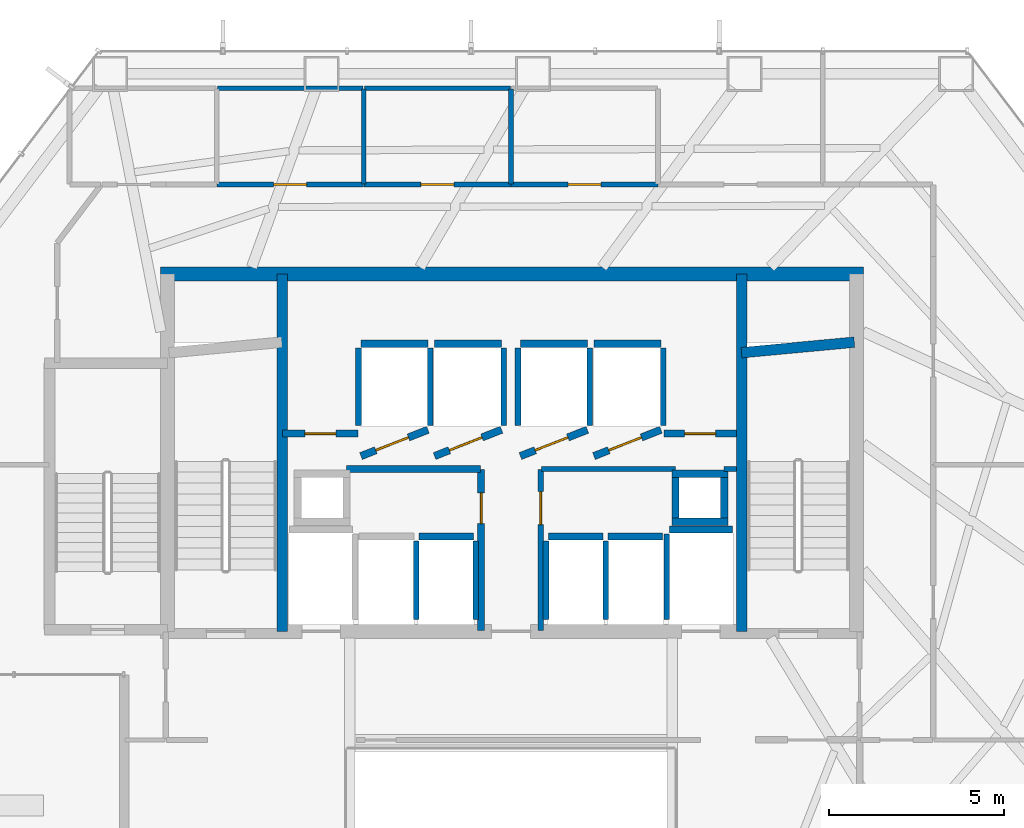
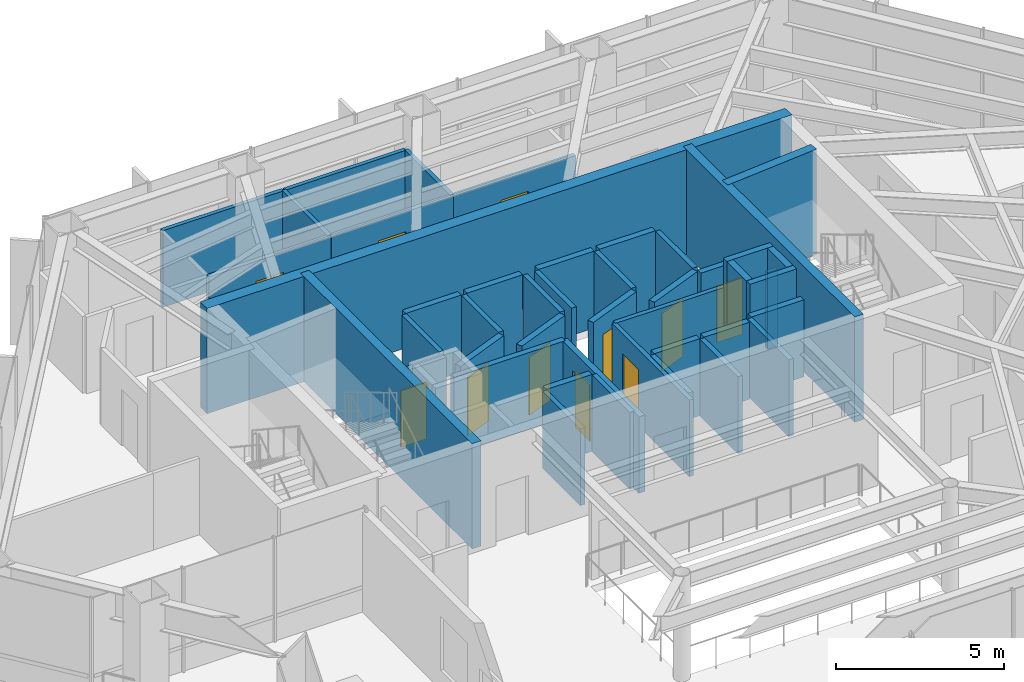
# One storey, part 21 of 24: 45 walls, 11 doors, 11 openings.
"""IFC4 building model written with IfcOpenShell, lengths in metres."""

from ifc_helpers import new_model, si_unit, direction, frame, frame_2d, origin, place, context, subcontext, project, spatial, rectangle, extrude, material, layer, layer_set, type_object, element, fill, save


model = new_model("IFC4")

# Units and contexts
model_context = context("Model", 3, precision=1e-05, world=origin(), true_north=direction((0.0, 1.0)))
body_context = subcontext(model_context, "Body", "Model", "MODEL_VIEW")
ifc_project = project(units=[si_unit("LENGTHUNIT", "METRE"), si_unit("AREAUNIT", "SQUARE_METRE"), si_unit("VOLUMEUNIT", "CUBIC_METRE"), si_unit("PLANEANGLEUNIT", "RADIAN"), si_unit("MASSUNIT", "GRAM", prefix="KILO")], contexts=[model_context])

# Site, building, storey
site_placement = place(None, origin())
site = spatial("IfcSite", under=ifc_project, at=site_placement, CompositionType="ELEMENT")
building_placement = place(site_placement, origin())
building = spatial("IfcBuilding", under=site, at=building_placement, Name="Zarrinselat Tower", CompositionType="ELEMENT")
storey_placement = place(building_placement, frame((0.0, 0.0, 64.260009765625)))
storey = spatial("IfcBuildingStorey", under=building, at=storey_placement, Name="L15", CompositionType="ELEMENT", Elevation=64.260009765625)

# Walls
ifc_material_1 = material(Name="Fire-Rated Gypsum Board Partition", Category="gypsum")
ifc_layer_1 = layer(ifc_material_1, 0.14990234375)
ifc_layer_set_1 = layer_set([ifc_layer_1], Name="Fire-Rated Gypsum Board Partition")
wall_type_1 = type_object("IfcWallType", Name="WAL-PART-EI60", PredefinedType="PARTITIONING", material=ifc_layer_set_1)
wall_1_placement = place(storey_placement, frame((39.27001953125, 37.8798828125, 0.0), z_axis=(0.0, 0.0, 1.0), x_axis=(1.0, 0.0, 0.0)))
element("IfcWall", 1, at=wall_1_placement, inside=storey, type_object=wall_type_1, Name="L15 Partition Wall 5", PredefinedType="PARTITIONING", context=body_context, shape_type="SweptSolid", body=[
    extrude(rectangle(XDim=3.824951171875, YDim=0.14990234375, at=frame_2d((1.91259765625, 0.0))), origin(), (0.0, 0.0, 1.0), 2.777099609375),
])
wall_2_placement = place(storey_placement, frame((44.485107421875, 37.8798828125, 0.0), z_axis=(0.0, 0.0, 1.0), x_axis=(1.0, 0.0, 0.0)))
element("IfcWall", 2, at=wall_2_placement, inside=storey, type_object=wall_type_1, Name="L15 Partition Wall 6", PredefinedType="PARTITIONING", context=body_context, shape_type="SweptSolid", body=[
    extrude(rectangle(XDim=0.349853515625, YDim=0.14990234375, at=frame_2d((0.1748046875, 0.0))), origin(), (0.0, 0.0, 1.0), 2.777099609375),
])

# Wall, opening, door
wall_3_placement = place(storey_placement, frame((39.25, 33.264892578125, 0.0), z_axis=(0.0, 0.0, 1.0), x_axis=(0.0, 1.0, 0.0)))
wall_3 = element("IfcWall", 3, at=wall_3_placement, inside=storey, type_object=wall_type_1, Name="L15 Partition Wall 7", PredefinedType="PARTITIONING", context=body_context, shape_type="SweptSolid", body=[
    extrude(rectangle(XDim=4.59521484375, YDim=0.14990234375, at=frame_2d((2.297607421875, 0.0))), origin(), (0.0, 0.0, 1.0), 2.777099609375),
])
opening_1_placement = place(wall_3_placement, frame((3.027587890625, 0.0, 0.0)))
opening_1 = element("IfcOpeningElement", 4, at=opening_1_placement, cuts=wall_3, Name="Opening ID-04", PredefinedType="OPENING", context=body_context, shape_type="SweptSolid", body=[
    extrude(rectangle(XDim=0.93994140625, YDim=2.050048828125, at=frame_2d((0.469970703125, 1.02490234375))), frame((0.0, 0.0849609375, 0.0), z_axis=(0.0, -1.0, 0.0), x_axis=(1.0, 0.0, 0.0)), (0.0, 0.0, 1.0), 0.169921875),
])
ifc_material_2 = material(Name="Fire-Rated Gypsum Board Partition")
door_type_1 = type_object("IfcDoorType", Name="DR-INT-FD30-ENT", OperationType="NOTDEFINED", PredefinedType="DOOR", material=ifc_material_2)
door_1_placement = place(opening_1_placement, origin())
door_1 = element("IfcDoor", 5, at=door_1_placement, inside=storey, type_object=door_type_1, Name="L15 Interior Door P7", OperationType="SINGLE_SWING_LEFT", OverallHeight=2.050048828125, OverallWidth=0.93994140625, PredefinedType="DOOR", context=body_context, shape_type="SweptSolid", body=[
    extrude(rectangle(XDim=0.93994140625, YDim=2.050048828125, at=frame_2d((0.469970703125, 1.02490234375))), frame((0.0, 0.02490234375, 0.0), z_axis=(0.0, -1.0, 0.0), x_axis=(1.0, 0.0, 0.0)), (0.0, 0.0, 1.0), 0.050048828125),
])
fill(opening_1, door_1)

wall_4_placement = place(storey_placement, frame((30.0048828125, 46.0, 0.0), z_axis=(0.0, 0.0, 1.0), x_axis=(1.0, 0.0, 0.0)))
wall_4 = element("IfcWall", 6, at=wall_4_placement, inside=storey, type_object=wall_type_1, Name="L15 Partition Wall 17", PredefinedType="PARTITIONING", context=body_context, shape_type="SweptSolid", body=[
    extrude(rectangle(XDim=4.190185546875, YDim=0.14990234375, at=frame_2d((2.09521484375, 0.0))), origin(), (0.0, 0.0, 1.0), 2.777099609375),
])
opening_2_placement = place(wall_4_placement, frame((1.625, 0.0, 0.0)))
opening_2 = element("IfcOpeningElement", 7, at=opening_2_placement, cuts=wall_4, Name="Opening ID-04", PredefinedType="OPENING", context=body_context, shape_type="SweptSolid", body=[
    extrude(rectangle(XDim=0.93994140625, YDim=2.050048828125, at=frame_2d((0.469970703125, 1.02490234375))), frame((0.0, 0.0849609375, 0.0), z_axis=(0.0, -1.0, 0.0), x_axis=(1.0, 0.0, 0.0)), (0.0, 0.0, 1.0), 0.169921875),
])
door_2_placement = place(opening_2_placement, origin())
door_2 = element("IfcDoor", 8, at=door_2_placement, inside=storey, type_object=door_type_1, Name="L15 Interior Door P17", OperationType="SINGLE_SWING_LEFT", OverallHeight=2.050048828125, OverallWidth=0.93994140625, PredefinedType="DOOR", context=body_context, shape_type="SweptSolid", body=[
    extrude(rectangle(XDim=0.93994140625, YDim=2.050048828125, at=frame_2d((0.469970703125, 1.02490234375))), frame((0.0, 0.02490234375, 0.0), z_axis=(0.0, -1.0, 0.0), x_axis=(1.0, 0.0, 0.0)), (0.0, 0.0, 1.0), 0.050048828125),
])
fill(opening_2, door_2)

wall_5_placement = place(storey_placement, frame((34.205078125, 46.0, 0.0), z_axis=(0.0, 0.0, 1.0), x_axis=(1.0, 0.0, 0.0)))
wall_5 = element("IfcWall", 9, at=wall_5_placement, inside=storey, type_object=wall_type_1, Name="L15 Partition Wall 18", PredefinedType="PARTITIONING", context=body_context, shape_type="SweptSolid", body=[
    extrude(rectangle(XDim=4.18994140625, YDim=0.14990234375, at=frame_2d((2.094970703125, 0.0))), origin(), (0.0, 0.0, 1.0), 2.777099609375),
])
opening_3_placement = place(wall_5_placement, frame((1.625, 0.0, 0.0)))
opening_3 = element("IfcOpeningElement", 10, at=opening_3_placement, cuts=wall_5, Name="Opening ID-04", PredefinedType="OPENING", context=body_context, shape_type="SweptSolid", body=[
    extrude(rectangle(XDim=0.93994140625, YDim=2.050048828125, at=frame_2d((0.469970703125, 1.02490234375))), frame((0.0, 0.0849609375, 0.0), z_axis=(0.0, -1.0, 0.0), x_axis=(1.0, 0.0, 0.0)), (0.0, 0.0, 1.0), 0.169921875),
])
door_3_placement = place(opening_3_placement, origin())
door_3 = element("IfcDoor", 11, at=door_3_placement, inside=storey, type_object=door_type_1, Name="L15 Interior Door P18", OperationType="SINGLE_SWING_RIGHT", OverallHeight=2.050048828125, OverallWidth=0.93994140625, PredefinedType="DOOR", context=body_context, shape_type="SweptSolid", body=[
    extrude(rectangle(XDim=0.93994140625, YDim=2.050048828125, at=frame_2d((0.469970703125, 1.02490234375))), frame((0.0, 0.02490234375, 0.0), z_axis=(0.0, -1.0, 0.0), x_axis=(1.0, 0.0, 0.0)), (0.0, 0.0, 1.0), 0.050048828125),
])
fill(opening_3, door_3)

wall_6_placement = place(storey_placement, frame((38.405029296875, 46.0, 0.0), z_axis=(0.0, 0.0, 1.0), x_axis=(1.0, 0.0, 0.0)))
wall_6 = element("IfcWall", 12, at=wall_6_placement, inside=storey, type_object=wall_type_1, Name="L15 Partition Wall 19", PredefinedType="PARTITIONING", context=body_context, shape_type="SweptSolid", body=[
    extrude(rectangle(XDim=4.18994140625, YDim=0.14990234375, at=frame_2d((2.094970703125, 0.0))), origin(), (0.0, 0.0, 1.0), 2.777099609375),
])
opening_4_placement = place(wall_6_placement, frame((1.625, 0.0, 0.0)))
opening_4 = element("IfcOpeningElement", 13, at=opening_4_placement, cuts=wall_6, Name="Opening ID-04", PredefinedType="OPENING", context=body_context, shape_type="SweptSolid", body=[
    extrude(rectangle(XDim=0.93994140625, YDim=2.050048828125, at=frame_2d((0.469970703125, 1.02490234375))), frame((0.0, 0.0849609375, 0.0), z_axis=(0.0, -1.0, 0.0), x_axis=(1.0, 0.0, 0.0)), (0.0, 0.0, 1.0), 0.169921875),
])
door_4_placement = place(opening_4_placement, origin())
door_4 = element("IfcDoor", 14, at=door_4_placement, inside=storey, type_object=door_type_1, Name="L15 Interior Door P19", OperationType="SINGLE_SWING_LEFT", OverallHeight=2.050048828125, OverallWidth=0.93994140625, PredefinedType="DOOR", context=body_context, shape_type="SweptSolid", body=[
    extrude(rectangle(XDim=0.93994140625, YDim=2.050048828125, at=frame_2d((0.469970703125, 1.02490234375))), frame((0.0, 0.02490234375, 0.0), z_axis=(0.0, -1.0, 0.0), x_axis=(1.0, 0.0, 0.0)), (0.0, 0.0, 1.0), 0.050048828125),
])
fill(opening_4, door_4)

ifc_material_3 = material(Name="Concrete C40/50", Category="concrete")
ifc_layer_2 = layer(ifc_material_3, 0.199951171875)
ifc_layer_set_2 = layer_set([ifc_layer_2], Name="Concrete C40/50")
wall_type_2 = type_object("IfcWallType", Name="WAL-PART-PLANT", PredefinedType="PARTITIONING", material=ifc_layer_set_2)
wall_7_placement = place(storey_placement, frame((37.550048828125, 33.264892578125, 0.0), z_axis=(0.0, 0.0, 1.0), x_axis=(0.0, 1.0, 0.0)))
wall_7 = element("IfcWall", 15, at=wall_7_placement, inside=storey, type_object=wall_type_2, Name="L15 Partition Wall 1", PredefinedType="PARTITIONING", context=body_context, shape_type="SweptSolid", body=[
    extrude(rectangle(XDim=4.59521484375, YDim=0.199951171875, at=frame_2d((2.297607421875, 0.0))), origin(), (0.0, 0.0, 1.0), 2.777099609375),
])
opening_5_placement = place(wall_7_placement, frame((3.0576171875, 0.0, 0.0)))
opening_5 = element("IfcOpeningElement", 16, at=opening_5_placement, cuts=wall_7, Name="Opening ID-03", PredefinedType="OPENING", context=body_context, shape_type="SweptSolid", body=[
    extrude(rectangle(XDim=0.8798828125, YDim=2.050048828125, at=frame_2d((0.43994140625, 1.02490234375))), frame((0.0, 0.10986328125, 0.0), z_axis=(0.0, -1.0, 0.0), x_axis=(1.0, 0.0, 0.0)), (0.0, 0.0, 1.0), 0.219970703125),
])
ifc_material_4 = material(Name="Steel S355J2", Category="steel")
door_type_2 = type_object("IfcDoorType", Name="DR-INT-FD60-S", OperationType="NOTDEFINED", PredefinedType="DOOR", material=ifc_material_4)
door_5_placement = place(opening_5_placement, origin())
door_5 = element("IfcDoor", 17, at=door_5_placement, inside=storey, type_object=door_type_2, Name="L15 Interior Door P1", OperationType="SINGLE_SWING_RIGHT", OverallHeight=2.050048828125, OverallWidth=0.8798828125, PredefinedType="DOOR", context=body_context, shape_type="SweptSolid", body=[
    extrude(rectangle(XDim=0.8798828125, YDim=2.050048828125, at=frame_2d((0.43994140625, 1.02490234375))), frame((0.0, 0.02490234375, 0.0), z_axis=(0.0, -1.0, 0.0), x_axis=(1.0, 0.0, 0.0)), (0.0, 0.0, 1.0), 0.050048828125),
])
fill(opening_5, door_5)

# Wall
wall_8_placement = place(storey_placement, frame((33.705078125, 37.8798828125, 0.0), z_axis=(0.0, 0.0, 1.0), x_axis=(1.0, 0.0, 0.0)))
element("IfcWall", 18, at=wall_8_placement, inside=storey, type_object=wall_type_2, Name="L15 Partition Wall 2", PredefinedType="PARTITIONING", context=body_context, shape_type="SweptSolid", body=[
    extrude(rectangle(XDim=3.824951171875, YDim=0.199951171875, at=frame_2d((1.91259765625, 0.0))), origin(), (0.0, 0.0, 1.0), 2.777099609375),
])

# Wall, opening, door
wall_9_placement = place(storey_placement, frame((31.885009765625, 38.889892578125, 0.0), z_axis=(0.0, 0.0, 1.0), x_axis=(1.0, 0.0, 0.0)))
wall_9 = element("IfcWall", 19, at=wall_9_placement, inside=storey, type_object=wall_type_2, Name="L15 Partition Wall 3", PredefinedType="PARTITIONING", context=body_context, shape_type="SweptSolid", body=[
    extrude(rectangle(XDim=2.14990234375, YDim=0.199951171875, at=frame_2d((1.074951171875, 0.0))), origin(), (0.0, 0.0, 1.0), 2.777099609375),
])
opening_6_placement = place(wall_9_placement, frame((0.635009765625, 0.0, 0.0)))
opening_6 = element("IfcOpeningElement", 20, at=opening_6_placement, cuts=wall_9, Name="Opening ID-03", PredefinedType="OPENING", context=body_context, shape_type="SweptSolid", body=[
    extrude(rectangle(XDim=0.8798828125, YDim=2.050048828125, at=frame_2d((0.43994140625, 1.02490234375))), frame((0.0, 0.10986328125, 0.0), z_axis=(0.0, -1.0, 0.0), x_axis=(1.0, 0.0, 0.0)), (0.0, 0.0, 1.0), 0.219970703125),
])
door_6_placement = place(opening_6_placement, origin())
door_6 = element("IfcDoor", 21, at=door_6_placement, inside=storey, type_object=door_type_2, Name="L15 Interior Door P3", OperationType="SINGLE_SWING_LEFT", OverallHeight=2.050048828125, OverallWidth=0.8798828125, PredefinedType="DOOR", context=body_context, shape_type="SweptSolid", body=[
    extrude(rectangle(XDim=0.8798828125, YDim=2.050048828125, at=frame_2d((0.43994140625, 1.02490234375))), frame((0.0, 0.02490234375, 0.0), z_axis=(0.0, -1.0, 0.0), x_axis=(1.0, 0.0, 0.0)), (0.0, 0.0, 1.0), 0.050048828125),
])
fill(opening_6, door_6)

wall_10_placement = place(storey_placement, frame((42.764892578125, 38.889892578125, 0.0), z_axis=(0.0, 0.0, 1.0), x_axis=(1.0, 0.0, 0.0)))
wall_10 = element("IfcWall", 22, at=wall_10_placement, inside=storey, type_object=wall_type_2, Name="L15 Partition Wall 4", PredefinedType="PARTITIONING", context=body_context, shape_type="SweptSolid", body=[
    extrude(rectangle(XDim=2.070068359375, YDim=0.199951171875, at=frame_2d((1.03515625, 0.0))), origin(), (0.0, 0.0, 1.0), 2.777099609375),
])
opening_7_placement = place(wall_10_placement, frame((0.594970703125, 0.0, 0.0)))
opening_7 = element("IfcOpeningElement", 23, at=opening_7_placement, cuts=wall_10, Name="Opening ID-03", PredefinedType="OPENING", context=body_context, shape_type="SweptSolid", body=[
    extrude(rectangle(XDim=0.8798828125, YDim=2.050048828125, at=frame_2d((0.43994140625, 1.02490234375))), frame((0.0, 0.10986328125, 0.0), z_axis=(0.0, -1.0, 0.0), x_axis=(1.0, 0.0, 0.0)), (0.0, 0.0, 1.0), 0.219970703125),
])
door_7_placement = place(opening_7_placement, origin())
door_7 = element("IfcDoor", 24, at=door_7_placement, inside=storey, type_object=door_type_2, Name="L15 Interior Door P4", OperationType="SINGLE_SWING_RIGHT", OverallHeight=2.050048828125, OverallWidth=0.8798828125, PredefinedType="DOOR", context=body_context, shape_type="SweptSolid", body=[
    extrude(rectangle(XDim=0.8798828125, YDim=2.050048828125, at=frame_2d((0.43994140625, 1.02490234375))), frame((0.0, 0.02490234375, 0.0), z_axis=(0.0, -1.0, 0.0), x_axis=(1.0, 0.0, 0.0)), (0.0, 0.0, 1.0), 0.050048828125),
])
fill(opening_7, door_7)

# Walls
ifc_material_5 = material(Name="Fire-Rated Gypsum Board Partition", Category="gypsum")
ifc_layer_3 = layer(ifc_material_5, 0.135009765625)
ifc_layer_set_3 = layer_set([ifc_layer_3], Name="Fire-Rated Gypsum Board Partition")
wall_type_3 = type_object("IfcWallType", Name="WAL-PART-WET", PredefinedType="PARTITIONING", material=ifc_layer_set_3)
wall_11_placement = place(storey_placement, frame((34.199951171875, 46.02001953125, 0.0), z_axis=(0.0, 0.0, 1.0), x_axis=(0.0, 1.0, 0.0)))
element("IfcWall", 25, at=wall_11_placement, inside=storey, type_object=wall_type_3, Name="L15 Partition Wall 33", PredefinedType="PARTITIONING", context=body_context, shape_type="SweptSolid", body=[
    extrude(rectangle(XDim=2.7099609375, YDim=0.135009765625, at=frame_2d((1.35498046875, 0.0))), origin(), (0.0, 0.0, 1.0), 2.777099609375),
])
wall_12_placement = place(storey_placement, frame((30.02001953125, 48.75, 0.0), z_axis=(0.0, 0.0, 1.0), x_axis=(1.0, 0.0, 0.0)))
element("IfcWall", 26, at=wall_12_placement, inside=storey, type_object=wall_type_3, Name="L15 Partition Wall 34", PredefinedType="PARTITIONING", context=body_context, shape_type="SweptSolid", body=[
    extrude(rectangle(XDim=4.159912109375, YDim=0.135009765625, at=frame_2d((2.080078125, 0.0))), origin(), (0.0, 0.0, 1.0), 2.777099609375),
])
wall_13_placement = place(storey_placement, frame((38.39990234375, 46.02001953125, 0.0), z_axis=(0.0, 0.0, 1.0), x_axis=(0.0, 1.0, 0.0)))
element("IfcWall", 27, at=wall_13_placement, inside=storey, type_object=wall_type_3, Name="L15 Partition Wall 35", PredefinedType="PARTITIONING", context=body_context, shape_type="SweptSolid", body=[
    extrude(rectangle(XDim=2.7099609375, YDim=0.135009765625, at=frame_2d((1.35498046875, 0.0))), origin(), (0.0, 0.0, 1.0), 2.777099609375),
])
wall_14_placement = place(storey_placement, frame((34.219970703125, 48.75, 0.0), z_axis=(0.0, 0.0, 1.0), x_axis=(1.0, 0.0, 0.0)))
element("IfcWall", 28, at=wall_14_placement, inside=storey, type_object=wall_type_3, Name="L15 Partition Wall 36", PredefinedType="PARTITIONING", context=body_context, shape_type="SweptSolid", body=[
    extrude(rectangle(XDim=4.159912109375, YDim=0.135009765625, at=frame_2d((2.080078125, 0.0))), origin(), (0.0, 0.0, 1.0), 2.777099609375),
])
ifc_material_6 = material(Name="Concrete C40/50", Category="concrete")
ifc_layer_4 = layer(ifc_material_6, 0.2099609375)
ifc_layer_set_4 = layer_set([ifc_layer_4], Name="Concrete C40/50")
wall_type_4 = type_object("IfcWallType", Name="WAL-SHAFT-210", PredefinedType="SOLIDWALL", material=ifc_layer_set_4)
wall_15_placement = place(storey_placement, frame((42.919921875, 36.155029296875, 0.0), z_axis=(0.0, 0.0, 1.0), x_axis=(1.0, 0.0, 0.0)))
element("IfcWall", 29, at=wall_15_placement, inside=storey, type_object=wall_type_4, Name="L15 Lift FFL2 North Shaft Wall", PredefinedType="SOLIDWALL", context=body_context, shape_type="SweptSolid", body=[
    extrude(rectangle(XDim=1.800048828125, YDim=0.2099609375, at=frame_2d((0.89990234375, 0.0))), origin(), (0.0, 0.0, 1.0), 2.7919921875),
])
wall_16_placement = place(storey_placement, frame((42.85009765625, 33.580078125, 0.0), z_axis=(0.0, 0.0, 1.0), x_axis=(0.0, 1.0, 0.0)))
element("IfcWall", 30, at=wall_16_placement, inside=storey, type_object=wall_type_4, Name="L15 Lift FFL2 W Shaft Wall", PredefinedType="SOLIDWALL", context=body_context, shape_type="SweptSolid", body=[
    extrude(rectangle(XDim=2.449951171875, YDim=0.159912109375, at=frame_2d((1.22509765625, 0.0))), origin(), (0.0, 0.0, 1.0), 2.7919921875),
])

# Wall, opening, door
wall_17_placement = place(storey_placement, frame((34.1201171875, 38.25, 0.0), z_axis=(0.0, 0.0, 1.0), x_axis=(0.930804993012, 0.36551616241, 0.0)))
wall_17 = element("IfcWall", 31, at=wall_17_placement, inside=storey, type_object=wall_type_4, Name="L15 Lift PL1 Front Shaft Wall", PredefinedType="SOLIDWALL", context=body_context, shape_type="SweptSolid", body=[
    extrude(rectangle(XDim=2.052001953125, YDim=0.2099609375, at=frame_2d((1.02587890625, 0.0))), origin(), (0.0, 0.0, 1.0), 2.7919921875),
])
opening_8_placement = place(wall_17_placement, frame((0.455078125, 0.0, 0.0)))
opening_8 = element("IfcOpeningElement", 32, at=opening_8_placement, cuts=wall_17, Name="Opening LD-PL1", PredefinedType="OPENING", context=body_context, shape_type="SweptSolid", body=[
    extrude(rectangle(XDim=1.0, YDim=2.10009765625, at=frame_2d((0.5, 1.050048828125))), frame((0.0, 0.114990234375, 0.0), z_axis=(0.0, -1.0, 0.0), x_axis=(1.0, 0.0, 0.0)), (0.0, 0.0, 1.0), 0.22998046875),
])
ifc_material_7 = material(Name="Steel S355J2", Category="steel")
door_type_3 = type_object("IfcDoorType", Name="DR-LIFT-PS-1000", OperationType="NOTDEFINED", PredefinedType="DOOR", material=ifc_material_7)
door_8_placement = place(opening_8_placement, origin())
door_8 = element("IfcDoor", 33, at=door_8_placement, inside=storey, type_object=door_type_3, Name="L15 Lift PL1 Sliding Landing Door", OperationType="SLIDING_TO_LEFT", OverallHeight=2.10009765625, OverallWidth=1.0, PredefinedType="DOOR", context=body_context, shape_type="SweptSolid", body=[
    extrude(rectangle(XDim=1.0, YDim=2.10009765625, at=frame_2d((0.5, 1.050048828125))), frame((0.0, 0.02490234375, 0.0), z_axis=(0.0, -1.0, 0.0), x_axis=(1.0, 0.0, 0.0)), (0.0, 0.0, 1.0), 0.050048828125),
])
fill(opening_8, door_8)

# Walls
wall_18_placement = place(storey_placement, frame((34.1201171875, 41.455078125, 0.0), z_axis=(0.0, 0.0, 1.0), x_axis=(1.0, 0.0, 0.0)))
element("IfcWall", 34, at=wall_18_placement, inside=storey, type_object=wall_type_4, Name="L15 Lift PL1 Rear Shaft Wall", PredefinedType="SOLIDWALL", context=body_context, shape_type="SweptSolid", body=[
    extrude(rectangle(XDim=1.909912109375, YDim=0.2099609375, at=frame_2d((0.955078125, 0.0))), origin(), (0.0, 0.0, 1.0), 2.7919921875),
])
for number, where, z_axis, x_axis, name in (
    (35, (34.050048828125, 39.1201171875, 0.0), (0.0, 0.0, 1.0), (0.0, 1.0, 0.0), "L15 Lift PL1 W Shaft Wall"),
    (36, (36.10009765625, 39.1201171875, 0.0), (0.0, 0.0, 1.0), (0.0, 1.0, 0.0), "L15 Lift PL1 E Shaft Wall"),
):
    element("IfcWall", number, at=place(storey_placement, frame(where, z_axis=z_axis, x_axis=x_axis)), inside=storey, type_object=wall_type_4, Name=name, PredefinedType="SOLIDWALL", context=body_context, shape_type="SweptSolid", body=[
        extrude(rectangle(XDim=2.2099609375, YDim=0.159912109375, at=frame_2d((1.10498046875, 0.0))), origin(), (0.0, 0.0, 1.0), 2.7919921875),
    ])

# Wall, opening, door
wall_19_placement = place(storey_placement, frame((36.219970703125, 38.25, 0.0), z_axis=(0.0, 0.0, 1.0), x_axis=(0.930804993012, 0.36551616241, 0.0)))
wall_19 = element("IfcWall", 37, at=wall_19_placement, inside=storey, type_object=wall_type_4, Name="L15 Lift PL2 Front Shaft Wall", PredefinedType="SOLIDWALL", context=body_context, shape_type="SweptSolid", body=[
    extrude(rectangle(XDim=2.052001953125, YDim=0.2099609375, at=frame_2d((1.02587890625, 0.0))), origin(), (0.0, 0.0, 1.0), 2.7919921875),
])
opening_9_placement = place(wall_19_placement, frame((0.455078125, 0.0, 0.0)))
opening_9 = element("IfcOpeningElement", 38, at=opening_9_placement, cuts=wall_19, Name="Opening LD-PL2", PredefinedType="OPENING", context=body_context, shape_type="SweptSolid", body=[
    extrude(rectangle(XDim=1.0, YDim=2.10009765625, at=frame_2d((0.5, 1.050048828125))), frame((0.0, 0.114990234375, 0.0), z_axis=(0.0, -1.0, 0.0), x_axis=(1.0, 0.0, 0.0)), (0.0, 0.0, 1.0), 0.22998046875),
])
door_9_placement = place(opening_9_placement, origin())
door_9 = element("IfcDoor", 39, at=door_9_placement, inside=storey, type_object=door_type_3, Name="L15 Lift PL2 Sliding Landing Door", OperationType="SLIDING_TO_RIGHT", OverallHeight=2.10009765625, OverallWidth=1.0, PredefinedType="DOOR", context=body_context, shape_type="SweptSolid", body=[
    extrude(rectangle(XDim=1.0, YDim=2.10009765625, at=frame_2d((0.5, 1.050048828125))), frame((0.0, 0.02490234375, 0.0), z_axis=(0.0, -1.0, 0.0), x_axis=(1.0, 0.0, 0.0)), (0.0, 0.0, 1.0), 0.050048828125),
])
fill(opening_9, door_9)

# Walls
wall_20_placement = place(storey_placement, frame((36.219970703125, 41.455078125, 0.0), z_axis=(0.0, 0.0, 1.0), x_axis=(1.0, 0.0, 0.0)))
element("IfcWall", 40, at=wall_20_placement, inside=storey, type_object=wall_type_4, Name="L15 Lift PL2 Rear Shaft Wall", PredefinedType="SOLIDWALL", context=body_context, shape_type="SweptSolid", body=[
    extrude(rectangle(XDim=1.909912109375, YDim=0.2099609375, at=frame_2d((0.955078125, 0.0))), origin(), (0.0, 0.0, 1.0), 2.7919921875),
])
wall_21_placement = place(storey_placement, frame((38.199951171875, 39.1201171875, 0.0), z_axis=(0.0, 0.0, 1.0), x_axis=(0.0, 1.0, 0.0)))
element("IfcWall", 41, at=wall_21_placement, inside=storey, type_object=wall_type_4, Name="L15 Lift PL2 E Shaft Wall", PredefinedType="SOLIDWALL", context=body_context, shape_type="SweptSolid", body=[
    extrude(rectangle(XDim=2.2099609375, YDim=0.159912109375, at=frame_2d((1.10498046875, 0.0))), origin(), (0.0, 0.0, 1.0), 2.7919921875),
])

# Wall, opening, door
wall_22_placement = place(storey_placement, frame((38.669921875, 38.25, 0.0), z_axis=(0.0, 0.0, 1.0), x_axis=(0.930820886763, 0.3654756856, 0.0)))
wall_22 = element("IfcWall", 42, at=wall_22_placement, inside=storey, type_object=wall_type_4, Name="L15 Lift PL3 Front Shaft Wall", PredefinedType="SOLIDWALL", context=body_context, shape_type="SweptSolid", body=[
    extrude(rectangle(XDim=2.052001953125, YDim=0.2099609375, at=frame_2d((1.02587890625, 0.0))), origin(), (0.0, 0.0, 1.0), 2.7919921875),
])
opening_10_placement = place(wall_22_placement, frame((0.455078125, 0.0, 0.0)))
opening_10 = element("IfcOpeningElement", 43, at=opening_10_placement, cuts=wall_22, Name="Opening LD-PL3", PredefinedType="OPENING", context=body_context, shape_type="SweptSolid", body=[
    extrude(rectangle(XDim=1.0, YDim=2.10009765625, at=frame_2d((0.5, 1.050048828125))), frame((0.0, 0.114990234375, 0.0), z_axis=(0.0, -1.0, 0.0), x_axis=(1.0, 0.0, 0.0)), (0.0, 0.0, 1.0), 0.22998046875),
])
door_10_placement = place(opening_10_placement, origin())
door_10 = element("IfcDoor", 44, at=door_10_placement, inside=storey, type_object=door_type_3, Name="L15 Lift PL3 Sliding Landing Door", OperationType="SLIDING_TO_LEFT", OverallHeight=2.10009765625, OverallWidth=1.0, PredefinedType="DOOR", context=body_context, shape_type="SweptSolid", body=[
    extrude(rectangle(XDim=1.0, YDim=2.10009765625, at=frame_2d((0.5, 1.050048828125))), frame((0.0, 0.02490234375, 0.0), z_axis=(0.0, -1.0, 0.0), x_axis=(1.0, 0.0, 0.0)), (0.0, 0.0, 1.0), 0.050048828125),
])
fill(opening_10, door_10)

# Walls
wall_23_placement = place(storey_placement, frame((38.669921875, 41.455078125, 0.0), z_axis=(0.0, 0.0, 1.0), x_axis=(1.0, 0.0, 0.0)))
element("IfcWall", 45, at=wall_23_placement, inside=storey, type_object=wall_type_4, Name="L15 Lift PL3 Rear Shaft Wall", PredefinedType="SOLIDWALL", context=body_context, shape_type="SweptSolid", body=[
    extrude(rectangle(XDim=1.91015625, YDim=0.2099609375, at=frame_2d((0.955078125, 0.0))), origin(), (0.0, 0.0, 1.0), 2.7919921875),
])
for number, where, z_axis, x_axis, name in (
    (46, (38.60009765625, 39.1201171875, 0.0), (0.0, 0.0, 1.0), (0.0, 1.0, 0.0), "L15 Lift PL3 W Shaft Wall"),
    (47, (40.64990234375, 39.1201171875, 0.0), (0.0, 0.0, 1.0), (0.0, 1.0, 0.0), "L15 Lift PL3 E Shaft Wall"),
):
    element("IfcWall", number, at=place(storey_placement, frame(where, z_axis=z_axis, x_axis=x_axis)), inside=storey, type_object=wall_type_4, Name=name, PredefinedType="SOLIDWALL", context=body_context, shape_type="SweptSolid", body=[
        extrude(rectangle(XDim=2.2099609375, YDim=0.159912109375, at=frame_2d((1.10498046875, 0.0))), origin(), (0.0, 0.0, 1.0), 2.7919921875),
    ])

# Wall, opening, door
wall_24_placement = place(storey_placement, frame((40.77001953125, 38.25, 0.0), z_axis=(0.0, 0.0, 1.0), x_axis=(0.930804993012, 0.36551616241, 0.0)))
wall_24 = element("IfcWall", 48, at=wall_24_placement, inside=storey, type_object=wall_type_4, Name="L15 Lift PL4 Front Shaft Wall", PredefinedType="SOLIDWALL", context=body_context, shape_type="SweptSolid", body=[
    extrude(rectangle(XDim=2.052001953125, YDim=0.2099609375, at=frame_2d((1.02587890625, 0.0))), origin(), (0.0, 0.0, 1.0), 2.7919921875),
])
opening_11_placement = place(wall_24_placement, frame((0.455078125, 0.0, 0.0)))
opening_11 = element("IfcOpeningElement", 49, at=opening_11_placement, cuts=wall_24, Name="Opening LD-PL4", PredefinedType="OPENING", context=body_context, shape_type="SweptSolid", body=[
    extrude(rectangle(XDim=1.0, YDim=2.10009765625, at=frame_2d((0.5, 1.050048828125))), frame((0.0, 0.114990234375, 0.0), z_axis=(0.0, -1.0, 0.0), x_axis=(1.0, 0.0, 0.0)), (0.0, 0.0, 1.0), 0.22998046875),
])
door_11_placement = place(opening_11_placement, origin())
door_11 = element("IfcDoor", 50, at=door_11_placement, inside=storey, type_object=door_type_3, Name="L15 Lift PL4 Sliding Landing Door", OperationType="SLIDING_TO_RIGHT", OverallHeight=2.10009765625, OverallWidth=1.0, PredefinedType="DOOR", context=body_context, shape_type="SweptSolid", body=[
    extrude(rectangle(XDim=1.0, YDim=2.10009765625, at=frame_2d((0.5, 1.050048828125))), frame((0.0, 0.02490234375, 0.0), z_axis=(0.0, -1.0, 0.0), x_axis=(1.0, 0.0, 0.0)), (0.0, 0.0, 1.0), 0.050048828125),
])
fill(opening_11, door_11)

# Walls
wall_25_placement = place(storey_placement, frame((40.77001953125, 41.455078125, 0.0), z_axis=(0.0, 0.0, 1.0), x_axis=(1.0, 0.0, 0.0)))
element("IfcWall", 51, at=wall_25_placement, inside=storey, type_object=wall_type_4, Name="L15 Lift PL4 Rear Shaft Wall", PredefinedType="SOLIDWALL", context=body_context, shape_type="SweptSolid", body=[
    extrude(rectangle(XDim=1.909912109375, YDim=0.2099609375, at=frame_2d((0.955078125, 0.0))), origin(), (0.0, 0.0, 1.0), 2.7919921875),
])
wall_26_placement = place(storey_placement, frame((42.75, 39.1201171875, 0.0), z_axis=(0.0, 0.0, 1.0), x_axis=(0.0, 1.0, 0.0)))
element("IfcWall", 52, at=wall_26_placement, inside=storey, type_object=wall_type_4, Name="L15 Lift PL4 E Shaft Wall", PredefinedType="SOLIDWALL", context=body_context, shape_type="SweptSolid", body=[
    extrude(rectangle(XDim=2.2099609375, YDim=0.159912109375, at=frame_2d((1.10498046875, 0.0))), origin(), (0.0, 0.0, 1.0), 2.7919921875),
])
wall_27_placement = place(storey_placement, frame((35.699951171875, 33.580078125, 0.0), z_axis=(0.0, 0.0, 1.0), x_axis=(0.0, 1.0, 0.0)))
element("IfcWall", 53, at=wall_27_placement, inside=storey, type_object=wall_type_4, Name="L15 Lift PL5 E Shaft Wall", PredefinedType="SOLIDWALL", context=body_context, shape_type="SweptSolid", body=[
    extrude(rectangle(XDim=2.25, YDim=0.159912109375, at=frame_2d((1.125, 0.0))), origin(), (0.0, 0.0, 1.0), 2.7919921875),
])
wall_28_placement = place(storey_placement, frame((35.77001953125, 35.955078125, 0.0), z_axis=(0.0, 0.0, 1.0), x_axis=(1.0, 0.0, 0.0)))
element("IfcWall", 54, at=wall_28_placement, inside=storey, type_object=wall_type_4, Name="L15 Lift PL6 North Shaft Wall", PredefinedType="SOLIDWALL", context=body_context, shape_type="SweptSolid", body=[
    extrude(rectangle(XDim=1.56005859375, YDim=0.2099609375, at=frame_2d((0.780029296875, 0.0))), origin(), (0.0, 0.0, 1.0), 2.7919921875),
])
wall_29_placement = place(storey_placement, frame((37.39990234375, 33.580078125, 0.0), z_axis=(0.0, 0.0, 1.0), x_axis=(0.0, 1.0, 0.0)))
element("IfcWall", 55, at=wall_29_placement, inside=storey, type_object=wall_type_4, Name="L15 Lift PL6 E Shaft Wall", PredefinedType="SOLIDWALL", context=body_context, shape_type="SweptSolid", body=[
    extrude(rectangle(XDim=2.25, YDim=0.159912109375, at=frame_2d((1.125, 0.0))), origin(), (0.0, 0.0, 1.0), 2.7919921875),
])
wall_30_placement = place(storey_placement, frame((39.469970703125, 35.955078125, 0.0), z_axis=(0.0, 0.0, 1.0), x_axis=(1.0, 0.0, 0.0)))
element("IfcWall", 56, at=wall_30_placement, inside=storey, type_object=wall_type_4, Name="L15 Lift PL8 North Shaft Wall", PredefinedType="SOLIDWALL", context=body_context, shape_type="SweptSolid", body=[
    extrude(rectangle(XDim=1.56005859375, YDim=0.2099609375, at=frame_2d((0.780029296875, 0.0))), origin(), (0.0, 0.0, 1.0), 2.7919921875),
])
for number, where, z_axis, x_axis, name in (
    (57, (39.39990234375, 33.580078125, 0.0), (0.0, 0.0, 1.0), (0.0, 1.0, 0.0), "L15 Lift PL8 W Shaft Wall"),
    (58, (41.10009765625, 33.580078125, 0.0), (0.0, 0.0, 1.0), (0.0, 1.0, 0.0), "L15 Lift PL8 E Shaft Wall"),
):
    element("IfcWall", number, at=place(storey_placement, frame(where, z_axis=z_axis, x_axis=x_axis)), inside=storey, type_object=wall_type_4, Name=name, PredefinedType="SOLIDWALL", context=body_context, shape_type="SweptSolid", body=[
        extrude(rectangle(XDim=2.25, YDim=0.159912109375, at=frame_2d((1.125, 0.0))), origin(), (0.0, 0.0, 1.0), 2.7919921875),
    ])
wall_31_placement = place(storey_placement, frame((41.169921875, 35.955078125, 0.0), z_axis=(0.0, 0.0, 1.0), x_axis=(1.0, 0.0, 0.0)))
element("IfcWall", 59, at=wall_31_placement, inside=storey, type_object=wall_type_4, Name="L15 Lift PL9 North Shaft Wall", PredefinedType="SOLIDWALL", context=body_context, shape_type="SweptSolid", body=[
    extrude(rectangle(XDim=1.56005859375, YDim=0.2099609375, at=frame_2d((0.780029296875, 0.0))), origin(), (0.0, 0.0, 1.0), 2.7919921875),
])
for number, where, z_axis, x_axis, name in (
    (60, (42.989990234375, 36.375, 0.0), (0.0, 0.0, 1.0), (1.0, 0.0, 0.0), "L15 Core Riser RSR-E S Shaft Wall"),
    (61, (42.989990234375, 37.7451171875, 0.0), (0.0, 0.0, 1.0), (1.0, 0.0, 0.0), "L15 Core Riser RSR-E N Shaft Wall"),
):
    element("IfcWall", number, at=place(storey_placement, frame(where, z_axis=z_axis, x_axis=x_axis)), inside=storey, type_object=wall_type_4, Name=name, PredefinedType="SOLIDWALL", context=body_context, shape_type="SweptSolid", body=[
        extrude(rectangle(XDim=1.60009765625, YDim=0.2099609375, at=frame_2d((0.800048828125, 0.0))), origin(), (0.0, 0.0, 1.0), 3.820068359375),
    ])
for number, where, z_axis, x_axis, name in (
    (62, (43.094970703125, 36.485107421875, 0.0), (0.0, 0.0, 1.0), (0.0, 1.0, 0.0), "L15 Core Riser RSR-E W Shaft Wall"),
    (63, (44.485107421875, 36.485107421875, 0.0), (0.0, 0.0, 1.0), (0.0, 1.0, 0.0), "L15 Core Riser RSR-E E Shaft Wall"),
):
    element("IfcWall", number, at=place(storey_placement, frame(where, z_axis=z_axis, x_axis=x_axis)), inside=storey, type_object=wall_type_4, Name=name, PredefinedType="SOLIDWALL", context=body_context, shape_type="SweptSolid", body=[
        extrude(rectangle(XDim=1.14990234375, YDim=0.2099609375, at=frame_2d((0.574951171875, 0.0))), origin(), (0.0, 0.0, 1.0), 3.820068359375),
    ])
ifc_material_8 = material(Name="Concrete C40/50", Category="concrete")
ifc_layer_5 = layer(ifc_material_8, 0.300048828125)
ifc_layer_set_5 = layer_set([ifc_layer_5], Name="Concrete C40/50")
wall_type_5 = type_object("IfcWallType", Name="WAL-SHEAR-300", PredefinedType="SHEAR", material=ifc_layer_set_5)
for number, where, z_axis, x_axis, name in (
    (64, (31.8701171875, 33.25, 0.0), (0.0, 0.0, 1.0), (0.0, 1.0, 0.0), "L15 Core Shear Wall ST1E"),
    (65, (44.989990234375, 33.25, 0.0), (0.0, 0.0, 1.0), (0.0, 1.0, 0.0), "L15 Core Shear Wall ST2W"),
):
    element("IfcWall", number, at=place(storey_placement, frame(where, z_axis=z_axis, x_axis=x_axis)), inside=storey, type_object=wall_type_5, Name=name, PredefinedType="SHEAR", context=body_context, shape_type="SweptSolid", body=[
        extrude(rectangle(XDim=10.199951171875, YDim=0.300048828125, at=frame_2d((5.10009765625, 0.0))), origin(), (0.0, 0.0, 1.0), 3.820068359375),
    ])
wall_32_placement = place(storey_placement, frame((44.97998046875, 41.199951171875, 0.0), z_axis=(0.0, 0.0, 1.0), x_axis=(0.995686468965, 0.09278176286, 0.0)))
element("IfcWall", 66, at=wall_32_placement, inside=storey, type_object=wall_type_5, Name="L15 Stair 2 North Shaft Wall", PredefinedType="SHEAR", context=body_context, shape_type="SweptSolid", body=[
    extrude(rectangle(XDim=3.23388671875, YDim=0.300048828125, at=frame_2d((1.616943359375, 0.0))), origin(), (0.0, 0.0, 1.0), 3.820068359375),
])
ifc_material_9 = material(Name="Concrete C60/75", Category="concrete")
ifc_layer_6 = layer(ifc_material_9, 0.39990234375)
ifc_layer_set_6 = layer_set([ifc_layer_6], Name="Concrete C60/75")
wall_type_6 = type_object("IfcWallType", Name="WAL-SHEAR-400", PredefinedType="SHEAR", material=ifc_layer_set_6)
wall_33_placement = place(storey_placement, frame((28.39990234375, 43.449951171875, 0.0), z_axis=(0.0, 0.0, 1.0), x_axis=(1.0, 0.0, 0.0)))
element("IfcWall", 67, at=wall_33_placement, inside=storey, type_object=wall_type_6, Name="L15 North Core Shear Wall", PredefinedType="SHEAR", context=body_context, shape_type="SweptSolid", body=[
    extrude(rectangle(XDim=20.06005859375, YDim=0.39990234375, at=frame_2d((10.030029296875, 0.0))), origin(), (0.0, 0.0, 1.0), 3.820068359375),
])

save(model, "model.ifc")
